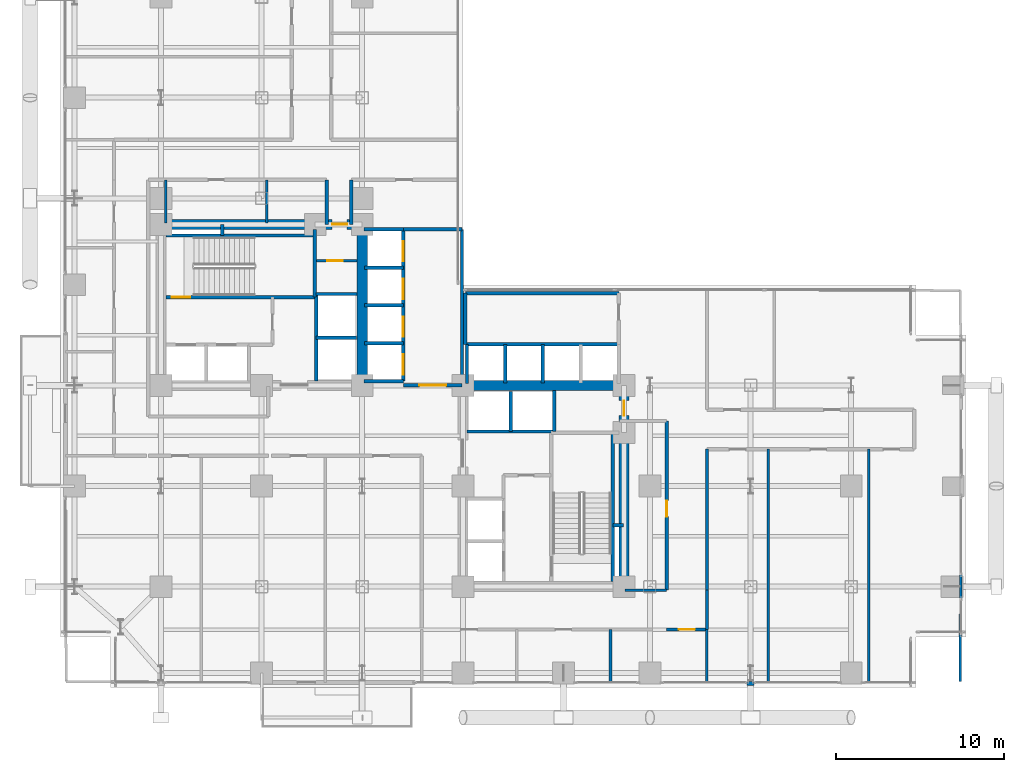
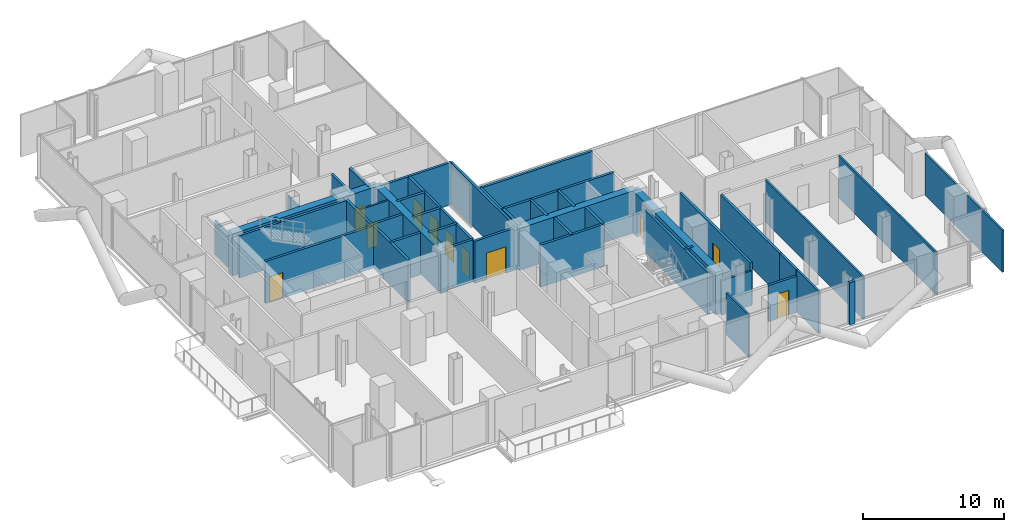
# One storey, part 21 of 25: 47 walls, 11 doors, 11 openings.
"""IFC4 building model written with IfcOpenShell, lengths in metres."""

from ifc_helpers import new_model, si_unit, direction, frame, frame_2d, origin, place, context, subcontext, project, spatial, rectangle, extrude, material, layer, layer_set, type_object, element, fill, save


model = new_model("IFC4")

# Units and contexts
model_context = context("Model", 3, precision=1e-05, world=origin(), true_north=direction((0.0, 1.0)))
body_context = subcontext(model_context, "Body", "Model", "MODEL_VIEW")
ifc_project = project(units=[si_unit("LENGTHUNIT", "METRE"), si_unit("AREAUNIT", "SQUARE_METRE"), si_unit("VOLUMEUNIT", "CUBIC_METRE"), si_unit("PLANEANGLEUNIT", "RADIAN"), si_unit("MASSUNIT", "GRAM", prefix="KILO"), si_unit("THERMODYNAMICTEMPERATUREUNIT", "KELVIN"), si_unit("POWERUNIT", "WATT")], contexts=[model_context])

# Site, building, storey
site_placement = place(None, origin())
site = spatial("IfcSite", under=ifc_project, at=site_placement, CompositionType="ELEMENT")
building_placement = place(site_placement, origin())
building = spatial("IfcBuilding", under=site, at=building_placement, Name="Svarakhadi Broadcast Tower", CompositionType="ELEMENT")
storey_placement = place(building_placement, frame((0.0, 0.0, 63.60009765625)))
storey = spatial("IfcBuildingStorey", under=building, at=storey_placement, Name="L14", CompositionType="ELEMENT", Elevation=63.60009765625)

# Walls
ifc_material_1 = material(Name="Concrete C40/50 (IS 456 M50)", Category="concrete")
ifc_layer_1 = layer(ifc_material_1, 0.239990234375)
ifc_layer_set_1 = layer_set([ifc_layer_1], Name="Concrete C40/50 (IS 456 M50)")
wall_type_1 = type_object("IfcWallType", Name="Wall_Ext_240", PredefinedType="SOLIDWALL", material=ifc_layer_set_1)
wall_1_placement = place(storey_placement, frame((41.364990234375, 0.239990234375, 0.0), z_axis=(0.0, 0.0, 1.0), x_axis=(-1.0, 0.0, 0.0)))
element("IfcWall", 1, at=wall_1_placement, inside=storey, type_object=wall_type_1, Name="L14 Perimeter Bronze Spandrel Closure Wall 05", PredefinedType="SOLIDWALL", context=body_context, shape_type="SweptSolid", body=[
    extrude(rectangle(XDim=0.429931640625, YDim=0.239990234375, at=frame_2d((0.21484375, 0.0))), origin(), (0.0, 0.0, 1.0), 3.64990234375),
])
ifc_layer_2 = layer(ifc_material_1, 0.199951171875)
ifc_layer_set_2 = layer_set([ifc_layer_2], Name="Concrete C40/50 (IS 456 M50)")
wall_type_2 = type_object("IfcWallType", Name="Wall_Fire_200", PredefinedType="SOLIDWALL", material=ifc_layer_set_2)
for number, where, z_axis, x_axis, name in (
    (2, (9.659912109375, 26.93994140625, 0.0), (0.0, 0.0, 1.0), (0.0, 1.0, 0.0), "L14 Wet Riser Shaft East Wall"),
    (3, (32.93994140625, 9.659912109375, 0.0), (0.0, 0.0, 1.0), (1.0, 0.0, 0.0), "L14 HV Busduct Riser Shaft North Wall"),
):
    element("IfcWall", number, at=place(storey_placement, frame(where, z_axis=z_axis, x_axis=x_axis)), inside=storey, type_object=wall_type_2, Name=name, PredefinedType="SOLIDWALL", context=body_context, shape_type="SweptSolid", body=[
        extrude(rectangle(XDim=0.64013671875, YDim=0.199951171875, at=frame_2d((0.320068359375, 0.0))), origin(), (0.0, 0.0, 1.0), 3.64990234375),
    ])

# Wall, opening, door
wall_2_placement = place(storey_placement, frame((36.14990234375, 5.800048828125, 0.0), z_axis=(0.0, 0.0, 1.0), x_axis=(0.0, 1.0, 0.0)))
wall_2 = element("IfcWall", 4, at=wall_2_placement, inside=storey, type_object=wall_type_2, Name="L14 Broadcast Corridor Wall", PredefinedType="SOLIDWALL", context=body_context, shape_type="SweptSolid", body=[
    extrude(rectangle(XDim=10.079833984375, YDim=0.199951171875, at=frame_2d((5.0400390625, 0.0))), origin(), (0.0, 0.0, 1.0), 3.64990234375),
])
opening_1_placement = place(wall_2_placement, frame((4.3798828125, 0.0, 0.0)))
opening_1 = element("IfcOpeningElement", 5, at=opening_1_placement, cuts=wall_2, Name="Opening D-06", PredefinedType="OPENING", context=body_context, shape_type="SweptSolid", body=[
    extrude(rectangle(XDim=0.949951171875, YDim=2.14990234375, at=frame_2d((0.47509765625, 1.074951171875))), frame((0.0, 0.10986328125, 0.0), z_axis=(0.0, -1.0, 0.0), x_axis=(1.0, 0.0, 0.0)), (0.0, 0.0, 1.0), 0.219970703125),
])
ifc_material_2 = material(Name="Solid-Core Teak Veneer Acoustic Timber Leaf", Category="wood")
door_type_1 = type_object("IfcDoorType", Name="Door_Office_D06", OperationType="SINGLE_SWING_LEFT", PredefinedType="DOOR", material=ifc_material_2)
door_1_placement = place(opening_1_placement, origin())
door_1 = element("IfcDoor", 6, at=door_1_placement, inside=storey, type_object=door_type_1, Name="L14 Live Feed Monitoring Studio Door", OperationType="SINGLE_SWING_LEFT", OverallHeight=2.14990234375, OverallWidth=0.949951171875, PredefinedType="DOOR", context=body_context, shape_type="SweptSolid", body=[
    extrude(rectangle(XDim=0.949951171875, YDim=2.14990234375, at=frame_2d((0.47509765625, 1.074951171875))), frame((0.0, 0.02490234375, 0.0), z_axis=(0.0, -1.0, 0.0), x_axis=(1.0, 0.0, 0.0)), (0.0, 0.0, 1.0), 0.050048828125),
])
fill(opening_1, door_1)

# Walls
wall_3_placement = place(storey_placement, frame((38.550048828125, 14.199951171875, 0.0), z_axis=(0.0, 0.0, 1.0), x_axis=(0.0, -1.0, 0.0)))
element("IfcWall", 7, at=wall_3_placement, inside=storey, type_object=wall_type_2, Name="L14 Broadcast Corridor Wall", PredefinedType="SOLIDWALL", context=body_context, shape_type="SweptSolid", body=[
    extrude(rectangle(XDim=8.39990234375, YDim=0.199951171875, at=frame_2d((4.199951171875, 0.0))), origin(), (0.0, 0.0, 1.0), 3.64990234375),
])
wall_4_placement = place(storey_placement, frame((38.550048828125, 5.800048828125, 0.0), z_axis=(0.0, 0.0, 1.0), x_axis=(0.0, -1.0, 0.0)))
element("IfcWall", 8, at=wall_4_placement, inside=storey, type_object=wall_type_2, Name="L14 Broadcast Corridor Wall", PredefinedType="SOLIDWALL", context=body_context, shape_type="SweptSolid", body=[
    extrude(rectangle(XDim=2.35009765625, YDim=0.199951171875, at=frame_2d((1.175048828125, 0.0))), origin(), (0.0, 0.0, 1.0), 3.64990234375),
])

# Wall, opening, door
wall_5_placement = place(storey_placement, frame((38.550048828125, 3.449951171875, 0.0), z_axis=(0.0, 0.0, 1.0), x_axis=(-1.0, 0.0, 0.0)))
wall_5 = element("IfcWall", 9, at=wall_5_placement, inside=storey, type_object=wall_type_2, Name="L14 Broadcast Corridor Wall", PredefinedType="SOLIDWALL", context=body_context, shape_type="SweptSolid", body=[
    extrude(rectangle(XDim=2.400146484375, YDim=0.199951171875, at=frame_2d((1.2001953125, 0.0))), origin(), (0.0, 0.0, 1.0), 3.141845703125),
])
opening_2_placement = place(wall_5_placement, frame((0.72509765625, 0.0, 0.0)))
opening_2 = element("IfcOpeningElement", 10, at=opening_2_placement, cuts=wall_5, Name="Opening D-06", PredefinedType="OPENING", context=body_context, shape_type="SweptSolid", body=[
    extrude(rectangle(XDim=0.949951171875, YDim=2.14990234375, at=frame_2d((0.47509765625, 1.074951171875))), frame((0.0, 0.10986328125, 0.0), z_axis=(0.0, -1.0, 0.0), x_axis=(1.0, 0.0, 0.0)), (0.0, 0.0, 1.0), 0.219970703125),
])
door_2_placement = place(opening_2_placement, origin())
door_2 = element("IfcDoor", 11, at=door_2_placement, inside=storey, type_object=door_type_1, Name="L14 Broadcast Staff Refreshment Pantry Door", OperationType="SINGLE_SWING_LEFT", OverallHeight=2.14990234375, OverallWidth=0.949951171875, PredefinedType="DOOR", context=body_context, shape_type="SweptSolid", body=[
    extrude(rectangle(XDim=0.949951171875, YDim=2.14990234375, at=frame_2d((0.47509765625, 1.074951171875))), frame((0.0, 0.02490234375, 0.0), z_axis=(0.0, -1.0, 0.0), x_axis=(1.0, 0.0, 0.0)), (0.0, 0.0, 1.0), 0.050048828125),
])
fill(opening_2, door_2)

# Walls
for number, where, z_axis, x_axis, name in (
    (12, (17.35009765625, 30.25, 0.0), (0.0, 0.0, 1.0), (0.0, -1.0, 0.0), "L14 Broadcast Corridor Wall"),
    (13, (15.8798828125, 27.580078125, 0.0), (0.0, 0.0, 1.0), (0.0, 1.0, 0.0), "L14 Broadcast Corridor Wall"),
):
    element("IfcWall", number, at=place(storey_placement, frame(where, z_axis=z_axis, x_axis=x_axis)), inside=storey, type_object=wall_type_2, Name=name, PredefinedType="SOLIDWALL", context=body_context, shape_type="SweptSolid", body=[
        extrude(rectangle(XDim=2.669921875, YDim=0.199951171875, at=frame_2d((1.3349609375, 0.0))), origin(), (0.0, 0.0, 1.0), 3.64990234375),
    ])

# Wall, opening, door
ifc_material_3 = material(Name="Autoclaved Aerated Concrete Blockwork 150 mm", Category="masonry")
ifc_layer_3 = layer(ifc_material_3, 0.14990234375)
ifc_layer_set_3 = layer_set([ifc_layer_3], Name="Autoclaved Aerated Concrete Blockwork 150 mm")
wall_type_3 = type_object("IfcWallType", Name="Wall_Part_150", PredefinedType="PARTITIONING", material=ifc_layer_set_3)
wall_6_placement = place(storey_placement, frame((15.280029296875, 25.43994140625, 0.0), z_axis=(0.0, 0.0, 1.0), x_axis=(1.0, 0.0, 0.0)))
wall_6 = element("IfcWall", 14, at=wall_6_placement, inside=storey, type_object=wall_type_3, Name="L14 West Core Service Split Wall", PredefinedType="PARTITIONING", context=body_context, shape_type="SweptSolid", body=[
    extrude(rectangle(XDim=2.419921875, YDim=0.14990234375, at=frame_2d((1.2099609375, 0.0))), origin(), (0.0, 0.0, 1.0), 3.64990234375),
])
opening_3_placement = place(wall_6_placement, frame((0.64990234375, 0.0, 0.0)))
opening_3 = element("IfcOpeningElement", 15, at=opening_3_placement, cuts=wall_6, Name="Opening D-04", PredefinedType="OPENING", context=body_context, shape_type="SweptSolid", body=[
    extrude(rectangle(XDim=0.89990234375, YDim=2.14990234375, at=frame_2d((0.449951171875, 1.074951171875))), frame((0.0, 0.0849609375, 0.0), z_axis=(0.0, -1.0, 0.0), x_axis=(1.0, 0.0, 0.0)), (0.0, 0.0, 1.0), 0.169921875),
])
ifc_material_4 = material(Name="Galvanised Powder-Coated Fire-Rated Steel Leaf", Category="steel")
door_type_2 = type_object("IfcDoorType", Name="Door_Fire_D04", OperationType="SINGLE_SWING_RIGHT", PredefinedType="DOOR", material=ifc_material_4)
door_3_placement = place(opening_3_placement, origin())
door_3 = element("IfcDoor", 16, at=door_3_placement, inside=storey, type_object=door_type_2, Name="L14 West Core Inner Store Door", OperationType="SINGLE_SWING_RIGHT", OverallHeight=2.14990234375, OverallWidth=0.89990234375, PredefinedType="DOOR", context=body_context, shape_type="SweptSolid", body=[
    extrude(rectangle(XDim=0.89990234375, YDim=2.14990234375, at=frame_2d((0.449951171875, 1.074951171875))), frame((0.0, 0.02490234375, 0.0), z_axis=(0.0, -1.0, 0.0), x_axis=(1.0, 0.0, 0.0)), (0.0, 0.0, 1.0), 0.050048828125),
])
fill(opening_3, door_3)

# Walls
for number, where, z_axis, x_axis, name in (
    (17, (6.300048828125, 27.679931640625, 0.0), (0.0, 0.0, 1.0), (0.0, 1.0, 0.0), "L14 Accessible Toilet WC Wall"),
    (18, (12.300048828125, 27.679931640625, 0.0), (0.0, 0.0, 1.0), (0.0, 1.0, 0.0), "L14 Accessible Toilet WC Wall"),
):
    element("IfcWall", number, at=place(storey_placement, frame(where, z_axis=z_axis, x_axis=x_axis)), inside=storey, type_object=wall_type_3, Name=name, PredefinedType="PARTITIONING", context=body_context, shape_type="SweptSolid", body=[
        extrude(rectangle(XDim=2.570068359375, YDim=0.14990234375, at=frame_2d((1.28515625, 0.0))), origin(), (0.0, 0.0, 1.0), 2.991943359375),
    ])
for number, where, z_axis, x_axis, name in (
    (19, (42.199951171875, 0.300048828125, 0.0), (0.0, 0.0, 1.0), (0.0, 1.0, 0.0), "L14 Academic Faculty Office Wall"),
    (20, (48.199951171875, 0.300048828125, 0.0), (0.0, 0.0, 1.0), (0.0, 1.0, 0.0), "L14 Camera Workshop Room Wall"),
):
    element("IfcWall", number, at=place(storey_placement, frame(where, z_axis=z_axis, x_axis=x_axis)), inside=storey, type_object=wall_type_3, Name=name, PredefinedType="PARTITIONING", context=body_context, shape_type="SweptSolid", body=[
        extrude(rectangle(XDim=13.89990234375, YDim=0.14990234375, at=frame_2d((6.949951171875, 0.0))), origin(), (0.0, 0.0, 1.0), 3.64990234375),
    ])
wall_7_placement = place(storey_placement, frame((53.64990234375, 0.35009765625, 0.0), z_axis=(0.0, 0.0, 1.0), x_axis=(0.003606251025, 0.999993497456, 0.0)))
element("IfcWall", 21, at=wall_7_placement, inside=storey, type_object=wall_type_3, Name="L14 Training Gear Store Wall", PredefinedType="PARTITIONING", context=body_context, shape_type="SweptSolid", body=[
    extrude(rectangle(XDim=11.034912109375, YDim=0.14990234375, at=frame_2d((5.517578125, 0.0))), origin(), (0.0, 0.0, 1.0), 3.64990234375),
])
for number, where, z_axis, x_axis, name in (
    (22, (32.800048828125, 0.300048828125, 0.0), (0.0, 0.0, 1.0), (0.0, 1.0, 0.0), "L14 Media Legal Review Office Wall"),
    (23, (38.550048828125, 0.300048828125, 0.0), (0.0, 0.0, 1.0), (0.0, 1.0, 0.0), "L14 Broadcast Staff Refreshment Pantry Wall"),
):
    element("IfcWall", number, at=place(storey_placement, frame(where, z_axis=z_axis, x_axis=x_axis)), inside=storey, type_object=wall_type_3, Name=name, PredefinedType="PARTITIONING", context=body_context, shape_type="SweptSolid", body=[
        extrude(rectangle(XDim=3.14990234375, YDim=0.14990234375, at=frame_2d((1.574951171875, 0.0))), origin(), (0.0, 0.0, 1.0), 3.64990234375),
    ])
wall_8_placement = place(storey_placement, frame((33.64990234375, 5.800048828125, 0.0), z_axis=(0.0, 0.0, 1.0), x_axis=(1.0, 0.0, 0.0)))
element("IfcWall", 24, at=wall_8_placement, inside=storey, type_object=wall_type_3, Name="L14 Live Feed Monitoring Studio Wall", PredefinedType="PARTITIONING", context=body_context, shape_type="SweptSolid", body=[
    extrude(rectangle(XDim=2.5, YDim=0.14990234375, at=frame_2d((1.25, 0.0))), origin(), (0.0, 0.0, 1.0), 2.991943359375),
])

# Wall, opening, door
ifc_material_5 = material(Name="Concrete C50/60 (IS 456 M60)", Category="concrete")
ifc_layer_4 = layer(ifc_material_5, 0.199951171875)
ifc_layer_set_4 = layer_set([ifc_layer_4], Name="Concrete C50/60 (IS 456 M60)")
wall_type_4 = type_object("IfcWallType", Name="Wall_Shear_200", PredefinedType="SHEAR", material=ifc_layer_set_4)
wall_9_placement = place(storey_placement, frame((6.300048828125, 23.260009765625, 0.0), z_axis=(0.0, 0.0, 1.0), x_axis=(1.0, 0.0, 0.0)))
wall_9 = element("IfcWall", 25, at=wall_9_placement, inside=storey, type_object=wall_type_4, Name="L14 Stair ST-01 South RC Shaft Wall", PredefinedType="SHEAR", context=body_context, shape_type="SweptSolid", body=[
    extrude(rectangle(XDim=8.8798828125, YDim=0.199951171875, at=frame_2d((4.43994140625, 0.0))), origin(), (0.0, 0.0, 1.0), 3.64990234375),
])
opening_4_placement = place(wall_9_placement, frame((0.35009765625, 0.0, 0.0)))
opening_4 = element("IfcOpeningElement", 26, at=opening_4_placement, cuts=wall_9, Name="Opening D-01", PredefinedType="OPENING", context=body_context, shape_type="SweptSolid", body=[
    extrude(rectangle(XDim=1.10009765625, YDim=2.199951171875, at=frame_2d((0.550048828125, 1.10009765625))), frame((0.0, 0.10986328125, 0.0), z_axis=(0.0, -1.0, 0.0), x_axis=(1.0, 0.0, 0.0)), (0.0, 0.0, 1.0), 0.219970703125),
])
door_type_3 = type_object("IfcDoorType", Name="Door_Stair_D01", OperationType="SINGLE_SWING_LEFT", PredefinedType="DOOR", material=ifc_material_4)
door_4_placement = place(opening_4_placement, origin())
door_4 = element("IfcDoor", 27, at=door_4_placement, inside=storey, type_object=door_type_3, Name="L14 Protected Exit Stair ST-01 Fire Door", OperationType="SINGLE_SWING_LEFT", OverallHeight=2.199951171875, OverallWidth=1.10009765625, PredefinedType="DOOR", context=body_context, shape_type="SweptSolid", body=[
    extrude(rectangle(XDim=1.10009765625, YDim=2.199951171875, at=frame_2d((0.550048828125, 1.10009765625))), frame((0.0, 0.02490234375, 0.0), z_axis=(0.0, -1.0, 0.0), x_axis=(1.0, 0.0, 0.0)), (0.0, 0.0, 1.0), 0.050048828125),
])
fill(opening_4, door_4)

# Walls
wall_10_placement = place(storey_placement, frame((6.300048828125, 26.93994140625, 0.0), z_axis=(0.0, 0.0, 1.0), x_axis=(1.0, 0.0, 0.0)))
element("IfcWall", 28, at=wall_10_placement, inside=storey, type_object=wall_type_4, Name="L14 Stair ST-01 North RC Shaft Wall", PredefinedType="SHEAR", context=body_context, shape_type="SweptSolid", body=[
    extrude(rectangle(XDim=8.8798828125, YDim=0.199951171875, at=frame_2d((4.43994140625, 0.0))), origin(), (0.0, 0.0, 1.0), 3.64990234375),
])
wall_11_placement = place(storey_placement, frame((15.179931640625, 23.260009765625, 0.0), z_axis=(0.0, 0.0, 1.0), x_axis=(0.0, 1.0, 0.0)))
element("IfcWall", 29, at=wall_11_placement, inside=storey, type_object=wall_type_4, Name="L14 Stair ST-01 East RC Shaft Wall", PredefinedType="SHEAR", context=body_context, shape_type="SweptSolid", body=[
    extrude(rectangle(XDim=4.0400390625, YDim=0.199951171875, at=frame_2d((2.02001953125, 0.0))), origin(), (0.0, 0.0, 1.0), 3.64990234375),
])
wall_12_placement = place(storey_placement, frame((32.93994140625, 6.300048828125, 0.0), z_axis=(0.0, 0.0, 1.0), x_axis=(0.0, 1.0, 0.0)))
element("IfcWall", 30, at=wall_12_placement, inside=storey, type_object=wall_type_4, Name="L14 Stair ST-02 East RC Shaft Wall", PredefinedType="SHEAR", context=body_context, shape_type="SweptSolid", body=[
    extrude(rectangle(XDim=8.8798828125, YDim=0.199951171875, at=frame_2d((4.43994140625, 0.0))), origin(), (0.0, 0.0, 1.0), 3.64990234375),
])
wall_13_placement = place(storey_placement, frame((15.25, 18.25, 0.0), z_axis=(0.0, 0.0, 1.0), x_axis=(0.0, 1.0, 0.0)))
element("IfcWall", 31, at=wall_13_placement, inside=storey, type_object=wall_type_4, Name="L14 High-Rise Lift LF-13/14 West Shaft Wall", PredefinedType="SHEAR", context=body_context, shape_type="SweptSolid", body=[
    extrude(rectangle(XDim=5.199951171875, YDim=0.199951171875, at=frame_2d((2.60009765625, 0.0))), origin(), (0.0, 0.0, 1.0), 3.64990234375),
])
wall_14_placement = place(storey_placement, frame((15.25, 20.85009765625, 0.0), z_axis=(0.0, 0.0, 1.0), x_axis=(1.0, 0.0, 0.0)))
element("IfcWall", 32, at=wall_14_placement, inside=storey, type_object=wall_type_4, Name="L14 High-Rise Lift LF-13/14 Divider", PredefinedType="SHEAR", context=body_context, shape_type="SweptSolid", body=[
    extrude(rectangle(XDim=2.39990234375, YDim=0.199951171875, at=frame_2d((1.199951171875, 0.0))), origin(), (0.0, 0.0, 1.0), 3.64990234375),
])
wall_15_placement = place(storey_placement, frame((15.25, 23.449951171875, 0.0), z_axis=(0.0, 0.0, 1.0), x_axis=(1.0, 0.0, 0.0)))
element("IfcWall", 33, at=wall_15_placement, inside=storey, type_object=wall_type_4, Name="L14 High-Rise Lift LF-13/14 North Wall", PredefinedType="SHEAR", context=body_context, shape_type="SweptSolid", body=[
    extrude(rectangle(XDim=2.449951171875, YDim=0.199951171875, at=frame_2d((1.22509765625, 0.0))), origin(), (0.0, 0.0, 1.0), 3.64990234375),
])
wall_16_placement = place(storey_placement, frame((24.25, 15.25, 0.0), z_axis=(0.0, 0.0, 1.0), x_axis=(1.0, 0.0, 0.0)))
element("IfcWall", 34, at=wall_16_placement, inside=storey, type_object=wall_type_4, Name="L14 High-Rise Lift LF-15/16 South Shaft Wall", PredefinedType="SHEAR", context=body_context, shape_type="SweptSolid", body=[
    extrude(rectangle(XDim=5.199951171875, YDim=0.199951171875, at=frame_2d((2.60009765625, 0.0))), origin(), (0.0, 0.0, 1.0), 3.64990234375),
])
wall_17_placement = place(storey_placement, frame((26.85009765625, 15.25, 0.0), z_axis=(0.0, 0.0, 1.0), x_axis=(0.0, 1.0, 0.0)))
element("IfcWall", 35, at=wall_17_placement, inside=storey, type_object=wall_type_4, Name="L14 High-Rise Lift LF-15/16 Divider", PredefinedType="SHEAR", context=body_context, shape_type="SweptSolid", body=[
    extrude(rectangle(XDim=2.39990234375, YDim=0.199951171875, at=frame_2d((1.199951171875, 0.0))), origin(), (0.0, 0.0, 1.0), 3.64990234375),
])
wall_18_placement = place(storey_placement, frame((29.449951171875, 15.25, 0.0), z_axis=(0.0, 0.0, 1.0), x_axis=(0.0, 1.0, 0.0)))
element("IfcWall", 36, at=wall_18_placement, inside=storey, type_object=wall_type_4, Name="L14 High-Rise Lift LF-15/16 East Wall", PredefinedType="SHEAR", context=body_context, shape_type="SweptSolid", body=[
    extrude(rectangle(XDim=2.449951171875, YDim=0.199951171875, at=frame_2d((1.22509765625, 0.0))), origin(), (0.0, 0.0, 1.0), 3.64990234375),
])
for number, where, z_axis, x_axis, name in (
    (37, (18.10009765625, 27.300048828125, 0.0), (0.0, 0.0, 1.0), (1.0, 0.0, 0.0), "L14 Bank A North Shaft Wall"),
    (38, (18.10009765625, 18.25, 0.0), (0.0, 0.0, 1.0), (1.0, 0.0, 0.0), "L14 Bank A South Shaft Wall"),
):
    element("IfcWall", number, at=place(storey_placement, frame(where, z_axis=z_axis, x_axis=x_axis)), inside=storey, type_object=wall_type_4, Name=name, PredefinedType="SHEAR", context=body_context, shape_type="SweptSolid", body=[
        extrude(rectangle(XDim=2.349853515625, YDim=0.199951171875, at=frame_2d((1.1748046875, 0.0))), origin(), (0.0, 0.0, 1.0), 3.64990234375),
    ])

# Wall, openings, doors
wall_19_placement = place(storey_placement, frame((20.449951171875, 18.25, 0.0), z_axis=(0.0, 0.0, 1.0), x_axis=(0.0, 1.0, 0.0)))
wall_19 = element("IfcWall", 39, at=wall_19_placement, inside=storey, type_object=wall_type_4, Name="L14 Bank A East Landing Wall", PredefinedType="SHEAR", context=body_context, shape_type="SweptSolid", body=[
    extrude(rectangle(XDim=9.050048828125, YDim=0.199951171875, at=frame_2d((4.52490234375, 0.0))), origin(), (0.0, 0.0, 1.0), 3.64990234375),
])
opening_5_placement = place(wall_19_placement, frame((0.39990234375, 0.0, 0.0)))
opening_5 = element("IfcOpeningElement", 40, at=opening_5_placement, cuts=wall_19, Name="Opening LD-02", PredefinedType="OPENING", context=body_context, shape_type="SweptSolid", body=[
    extrude(rectangle(XDim=1.199951171875, YDim=2.199951171875, at=frame_2d((0.60009765625, 1.10009765625))), frame((0.0, 0.10986328125, 0.0), z_axis=(0.0, -1.0, 0.0), x_axis=(1.0, 0.0, 0.0)), (0.0, 0.0, 1.0), 0.219970703125),
])
opening_6_placement = place(wall_19_placement, frame((2.64990234375, 0.0, 0.0)))
opening_6 = element("IfcOpeningElement", 41, at=opening_6_placement, cuts=wall_19, Name="Opening LD-02", PredefinedType="OPENING", context=body_context, shape_type="SweptSolid", body=[
    extrude(rectangle(XDim=1.199951171875, YDim=2.199951171875, at=frame_2d((0.60009765625, 1.10009765625))), frame((0.0, 0.10986328125, 0.0), z_axis=(0.0, -1.0, 0.0), x_axis=(1.0, 0.0, 0.0)), (0.0, 0.0, 1.0), 0.219970703125),
])
opening_7_placement = place(wall_19_placement, frame((4.89990234375, 0.0, 0.0)))
opening_7 = element("IfcOpeningElement", 42, at=opening_7_placement, cuts=wall_19, Name="Opening LD-02", PredefinedType="OPENING", context=body_context, shape_type="SweptSolid", body=[
    extrude(rectangle(XDim=1.199951171875, YDim=2.199951171875, at=frame_2d((0.60009765625, 1.10009765625))), frame((0.0, 0.10986328125, 0.0), z_axis=(0.0, -1.0, 0.0), x_axis=(1.0, 0.0, 0.0)), (0.0, 0.0, 1.0), 0.219970703125),
])
opening_8_placement = place(wall_19_placement, frame((7.14990234375, 0.0, 0.0)))
opening_8 = element("IfcOpeningElement", 43, at=opening_8_placement, cuts=wall_19, Name="Opening LD-02", PredefinedType="OPENING", context=body_context, shape_type="SweptSolid", body=[
    extrude(rectangle(XDim=1.199951171875, YDim=2.199951171875, at=frame_2d((0.60009765625, 1.10009765625))), frame((0.0, 0.10986328125, 0.0), z_axis=(0.0, -1.0, 0.0), x_axis=(1.0, 0.0, 0.0)), (0.0, 0.0, 1.0), 0.219970703125),
])
door_type_4 = type_object("IfcDoorType", Name="Door_Lift_LD02", OperationType="SLIDING_TO_RIGHT", PredefinedType="DOOR", material=ifc_material_4)
door_5_placement = place(opening_5_placement, origin())
door_5 = element("IfcDoor", 44, at=door_5_placement, inside=storey, type_object=door_type_4, Name="L14 Low-Rise Lift LF-05 Landing Door", OperationType="SLIDING_TO_RIGHT", OverallHeight=2.199951171875, OverallWidth=1.199951171875, PredefinedType="DOOR", context=body_context, shape_type="SweptSolid", body=[
    extrude(rectangle(XDim=1.199951171875, YDim=2.199951171875, at=frame_2d((0.60009765625, 1.10009765625))), frame((0.0, 0.02490234375, 0.0), z_axis=(0.0, -1.0, 0.0), x_axis=(1.0, 0.0, 0.0)), (0.0, 0.0, 1.0), 0.050048828125),
])
fill(opening_5, door_5)
door_6_placement = place(opening_6_placement, origin())
door_6 = element("IfcDoor", 45, at=door_6_placement, inside=storey, type_object=door_type_4, Name="L14 Low-Rise Lift LF-06 Landing Door", OperationType="SLIDING_TO_RIGHT", OverallHeight=2.199951171875, OverallWidth=1.199951171875, PredefinedType="DOOR", context=body_context, shape_type="SweptSolid", body=[
    extrude(rectangle(XDim=1.199951171875, YDim=2.199951171875, at=frame_2d((0.60009765625, 1.10009765625))), frame((0.0, 0.02490234375, 0.0), z_axis=(0.0, -1.0, 0.0), x_axis=(1.0, 0.0, 0.0)), (0.0, 0.0, 1.0), 0.050048828125),
])
fill(opening_6, door_6)
door_7_placement = place(opening_7_placement, origin())
door_7 = element("IfcDoor", 46, at=door_7_placement, inside=storey, type_object=door_type_4, Name="L14 Low-Rise Lift LF-07 Landing Door", OperationType="SLIDING_TO_RIGHT", OverallHeight=2.199951171875, OverallWidth=1.199951171875, PredefinedType="DOOR", context=body_context, shape_type="SweptSolid", body=[
    extrude(rectangle(XDim=1.199951171875, YDim=2.199951171875, at=frame_2d((0.60009765625, 1.10009765625))), frame((0.0, 0.02490234375, 0.0), z_axis=(0.0, -1.0, 0.0), x_axis=(1.0, 0.0, 0.0)), (0.0, 0.0, 1.0), 0.050048828125),
])
fill(opening_7, door_7)
door_8_placement = place(opening_8_placement, origin())
door_8 = element("IfcDoor", 47, at=door_8_placement, inside=storey, type_object=door_type_4, Name="L14 Low-Rise Lift LF-08 Landing Door", OperationType="SLIDING_TO_RIGHT", OverallHeight=2.199951171875, OverallWidth=1.199951171875, PredefinedType="DOOR", context=body_context, shape_type="SweptSolid", body=[
    extrude(rectangle(XDim=1.199951171875, YDim=2.199951171875, at=frame_2d((0.60009765625, 1.10009765625))), frame((0.0, 0.02490234375, 0.0), z_axis=(0.0, -1.0, 0.0), x_axis=(1.0, 0.0, 0.0)), (0.0, 0.0, 1.0), 0.050048828125),
])
fill(opening_8, door_8)

# Walls
for number, where, z_axis, x_axis, name in (
    (48, (18.14990234375, 20.52001953125, 0.0), (0.0, 0.0, 1.0), (1.0, 0.0, 0.0), "L14 Bank A Divider"),
    (49, (18.14990234375, 22.77001953125, 0.0), (0.0, 0.0, 1.0), (1.0, 0.0, 0.0), "L14 Bank A Divider"),
    (50, (18.14990234375, 25.02001953125, 0.0), (0.0, 0.0, 1.0), (1.0, 0.0, 0.0), "L14 Bank A Divider"),
):
    element("IfcWall", number, at=place(storey_placement, frame(where, z_axis=z_axis, x_axis=x_axis)), inside=storey, type_object=wall_type_4, Name=name, PredefinedType="SHEAR", context=body_context, shape_type="SweptSolid", body=[
        extrude(rectangle(XDim=2.300048828125, YDim=0.199951171875, at=frame_2d((1.14990234375, 0.0))), origin(), (0.0, 0.0, 1.0), 3.64990234375),
    ])

# Wall, opening, door
wall_20_placement = place(storey_placement, frame((20.449951171875, 18.0, 0.0), z_axis=(0.0, 0.0, 1.0), x_axis=(1.0, 0.0, 0.0)))
wall_20 = element("IfcWall", 51, at=wall_20_placement, inside=storey, type_object=wall_type_4, Name="L14 Bank A Lift Hall South Wall", PredefinedType="SHEAR", context=body_context, shape_type="SweptSolid", body=[
    extrude(rectangle(XDim=3.5, YDim=0.199951171875, at=frame_2d((1.75, 0.0))), origin(), (0.0, 0.0, 1.0), 3.64990234375),
])
opening_9_placement = place(wall_20_placement, frame((0.949951171875, 0.0, 0.0)))
opening_9 = element("IfcOpeningElement", 52, at=opening_9_placement, cuts=wall_20, Name="Opening D-05", PredefinedType="OPENING", context=body_context, shape_type="SweptSolid", body=[
    extrude(rectangle(XDim=1.60009765625, YDim=2.300048828125, at=frame_2d((0.800048828125, 1.14990234375))), frame((0.0, 0.10986328125, 0.0), z_axis=(0.0, -1.0, 0.0), x_axis=(1.0, 0.0, 0.0)), (0.0, 0.0, 1.0), 0.219970703125),
])
ifc_material_6 = material(Name="Anodised Bronze Aluminium AA 6063-T6", Category="aluminium")
door_type_5 = type_object("IfcDoorType", Name="Door_Lobby_D05", OperationType="DOUBLE_DOOR_SLIDING", PredefinedType="DOOR", material=ifc_material_6)
door_9_placement = place(opening_9_placement, origin())
door_9 = element("IfcDoor", 53, at=door_9_placement, inside=storey, type_object=door_type_5, Name="L14 Low-Rise Lift Hall Corridor Door", OperationType="DOUBLE_DOOR_SLIDING", OverallHeight=2.300048828125, OverallWidth=1.60009765625, PredefinedType="DOOR", context=body_context, shape_type="SweptSolid", body=[
    extrude(rectangle(XDim=1.60009765625, YDim=2.300048828125, at=frame_2d((0.800048828125, 1.14990234375))), frame((0.0, 0.02490234375, 0.0), z_axis=(0.0, -1.0, 0.0), x_axis=(1.0, 0.0, 0.0)), (0.0, 0.0, 1.0), 0.050048828125),
])
fill(opening_9, door_9)

# Walls
wall_21_placement = place(storey_placement, frame((20.449951171875, 27.300048828125, 0.0), z_axis=(0.0, 0.0, 1.0), x_axis=(1.0, 0.0, 0.0)))
element("IfcWall", 54, at=wall_21_placement, inside=storey, type_object=wall_type_4, Name="L14 Bank A Lift Hall North Wall", PredefinedType="SHEAR", context=body_context, shape_type="SweptSolid", body=[
    extrude(rectangle(XDim=3.5, YDim=0.199951171875, at=frame_2d((1.75, 0.0))), origin(), (0.0, 0.0, 1.0), 3.64990234375),
])
wall_22_placement = place(storey_placement, frame((23.949951171875, 18.0, 0.0), z_axis=(0.0, 0.0, 1.0), x_axis=(0.0, 1.0, 0.0)))
element("IfcWall", 55, at=wall_22_placement, inside=storey, type_object=wall_type_4, Name="L14 Bank A Lift Hall East Wall", PredefinedType="SHEAR", context=body_context, shape_type="SweptSolid", body=[
    extrude(rectangle(XDim=9.300048828125, YDim=0.199951171875, at=frame_2d((4.64990234375, 0.0))), origin(), (0.0, 0.0, 1.0), 3.64990234375),
])
wall_23_placement = place(storey_placement, frame((24.25, 18.10009765625, 0.0), z_axis=(0.0, 0.0, 1.0), x_axis=(0.0, 1.0, 0.0)))
element("IfcWall", 56, at=wall_23_placement, inside=storey, type_object=wall_type_4, Name="L14 Bank B West Shaft Wall", PredefinedType="SHEAR", context=body_context, shape_type="SweptSolid", body=[
    extrude(rectangle(XDim=2.349853515625, YDim=0.199951171875, at=frame_2d((1.1748046875, 0.0))), origin(), (0.0, 0.0, 1.0), 3.64990234375),
])
wall_24_placement = place(storey_placement, frame((24.25, 20.449951171875, 0.0), z_axis=(0.0, 0.0, 1.0), x_axis=(1.0, 0.0, 0.0)))
element("IfcWall", 57, at=wall_24_placement, inside=storey, type_object=wall_type_4, Name="L14 Bank B North Landing Wall", PredefinedType="SHEAR", context=body_context, shape_type="SweptSolid", body=[
    extrude(rectangle(XDim=9.050048828125, YDim=0.199951171875, at=frame_2d((4.52490234375, 0.0))), origin(), (0.0, 0.0, 1.0), 3.64990234375),
])
for number, where, z_axis, x_axis, name in (
    (58, (26.52001953125, 18.14990234375, 0.0), (0.0, 0.0, 1.0), (0.0, 1.0, 0.0), "L14 Bank B Divider"),
    (59, (28.77001953125, 18.14990234375, 0.0), (0.0, 0.0, 1.0), (0.0, 1.0, 0.0), "L14 Bank B Divider"),
):
    element("IfcWall", number, at=place(storey_placement, frame(where, z_axis=z_axis, x_axis=x_axis)), inside=storey, type_object=wall_type_4, Name=name, PredefinedType="SHEAR", context=body_context, shape_type="SweptSolid", body=[
        extrude(rectangle(XDim=2.300048828125, YDim=0.199951171875, at=frame_2d((1.14990234375, 0.0))), origin(), (0.0, 0.0, 1.0), 3.64990234375),
    ])
wall_25_placement = place(storey_placement, frame((24.14990234375, 23.5, 0.0), z_axis=(0.0, 0.0, 1.0), x_axis=(1.0, 0.0, 0.0)))
element("IfcWall", 60, at=wall_25_placement, inside=storey, type_object=wall_type_4, Name="L14 Bank B Lift Hall North Wall", PredefinedType="SHEAR", context=body_context, shape_type="SweptSolid", body=[
    extrude(rectangle(XDim=9.150146484375, YDim=0.199951171875, at=frame_2d((4.5751953125, 0.0))), origin(), (0.0, 0.0, 1.0), 3.64990234375),
])
wall_26_placement = place(storey_placement, frame((24.14990234375, 20.449951171875, 0.0), z_axis=(0.0, 0.0, 1.0), x_axis=(0.0, 1.0, 0.0)))
element("IfcWall", 61, at=wall_26_placement, inside=storey, type_object=wall_type_4, Name="L14 Bank B Lift Hall West Wall", PredefinedType="SHEAR", context=body_context, shape_type="SweptSolid", body=[
    extrude(rectangle(XDim=3.050048828125, YDim=0.199951171875, at=frame_2d((1.52490234375, 0.0))), origin(), (0.0, 0.0, 1.0), 3.64990234375),
])

# Wall, opening, door
ifc_material_7 = material(Name="Concrete C60/75 (IS 456 M70)", Category="concrete")
ifc_layer_5 = layer(ifc_material_7, 0.60009765625)
ifc_layer_set_5 = layer_set([ifc_layer_5], Name="Concrete C60/75 (IS 456 M70)")
wall_type_5 = type_object("IfcWallType", Name="Wall_Shear_600", PredefinedType="SHEAR", material=ifc_layer_set_5)
wall_27_placement = place(storey_placement, frame((6.0, 27.60009765625, 0.0), z_axis=(0.0, 0.0, 1.0), x_axis=(1.0, 0.0, 0.0)))
wall_27 = element("IfcWall", 62, at=wall_27_placement, inside=storey, type_object=wall_type_5, Name="L14 West Core North Shear Wall", PredefinedType="SHEAR", context=body_context, shape_type="SweptSolid", body=[
    extrude(rectangle(XDim=12.0, YDim=0.60009765625, at=frame_2d((6.0, 0.0))), origin(), (0.0, 0.0, 1.0), 3.64990234375),
])
opening_10_placement = place(wall_27_placement, frame((10.199951171875, 0.0, 0.0)))
opening_10 = element("IfcOpeningElement", 63, at=opening_10_placement, cuts=wall_27, Name="Opening D-03", PredefinedType="OPENING", context=body_context, shape_type="SweptSolid", body=[
    extrude(rectangle(XDim=0.89990234375, YDim=2.14990234375, at=frame_2d((0.449951171875, 1.074951171875))), frame((0.0, 0.31005859375, 0.0), z_axis=(0.0, -1.0, 0.0), x_axis=(1.0, 0.0, 0.0)), (0.0, 0.0, 1.0), 0.6201171875),
])
door_type_6 = type_object("IfcDoorType", Name="Door_Fire_D03", OperationType="SINGLE_SWING_LEFT", PredefinedType="DOOR", material=ifc_material_4)
door_10_placement = place(opening_10_placement, origin())
door_10 = element("IfcDoor", 64, at=door_10_placement, inside=storey, type_object=door_type_6, Name="L14 West Core Outer Store Door", OperationType="SINGLE_SWING_LEFT", OverallHeight=2.14990234375, OverallWidth=0.89990234375, PredefinedType="DOOR", context=body_context, shape_type="SweptSolid", body=[
    extrude(rectangle(XDim=0.89990234375, YDim=2.14990234375, at=frame_2d((0.449951171875, 1.074951171875))), frame((0.0, 0.02490234375, 0.0), z_axis=(0.0, -1.0, 0.0), x_axis=(1.0, 0.0, 0.0)), (0.0, 0.0, 1.0), 0.050048828125),
])
fill(opening_10, door_10)

# Walls
for number, where, z_axis, x_axis, name in (
    (65, (18.0, 18.0, 0.0), (0.0, 0.0, 1.0), (0.0, 1.0, 0.0), "L14 West Core East Shear Wall"),
    (66, (24.0, 18.0, 0.0), (0.0, 0.0, 1.0), (1.0, 0.0, 0.0), "L14 East Core North Shear Wall"),
):
    element("IfcWall", number, at=place(storey_placement, frame(where, z_axis=z_axis, x_axis=x_axis)), inside=storey, type_object=wall_type_5, Name=name, PredefinedType="SHEAR", context=body_context, shape_type="SweptSolid", body=[
        extrude(rectangle(XDim=9.60009765625, YDim=0.60009765625, at=frame_2d((4.800048828125, 0.0))), origin(), (0.0, 0.0, 1.0), 3.64990234375),
    ])

# Wall, opening, door
wall_28_placement = place(storey_placement, frame((33.60009765625, 6.0, 0.0), z_axis=(0.0, 0.0, 1.0), x_axis=(0.0, 1.0, 0.0)))
wall_28 = element("IfcWall", 67, at=wall_28_placement, inside=storey, type_object=wall_type_5, Name="L14 East Core East Shear Wall", PredefinedType="SHEAR", context=body_context, shape_type="SweptSolid", body=[
    extrude(rectangle(XDim=12.0, YDim=0.60009765625, at=frame_2d((6.0, 0.0))), origin(), (0.0, 0.0, 1.0), 3.64990234375),
])
opening_11_placement = place(wall_28_placement, frame((10.199951171875, 0.0, 0.0)))
opening_11 = element("IfcOpeningElement", 68, at=opening_11_placement, cuts=wall_28, Name="Opening D-03", PredefinedType="OPENING", context=body_context, shape_type="SweptSolid", body=[
    extrude(rectangle(XDim=0.89990234375, YDim=2.14990234375, at=frame_2d((0.449951171875, 1.074951171875))), frame((0.0, 0.31005859375, 0.0), z_axis=(0.0, -1.0, 0.0), x_axis=(1.0, 0.0, 0.0)), (0.0, 0.0, 1.0), 0.6201171875),
])
door_11_placement = place(opening_11_placement, origin())
door_11 = element("IfcDoor", 69, at=door_11_placement, inside=storey, type_object=door_type_6, Name="L14 East Core Service Store Door", OperationType="SINGLE_SWING_LEFT", OverallHeight=2.14990234375, OverallWidth=0.89990234375, PredefinedType="DOOR", context=body_context, shape_type="SweptSolid", body=[
    extrude(rectangle(XDim=0.89990234375, YDim=2.14990234375, at=frame_2d((0.449951171875, 1.074951171875))), frame((0.0, 0.02490234375, 0.0), z_axis=(0.0, -1.0, 0.0), x_axis=(1.0, 0.0, 0.0)), (0.0, 0.0, 1.0), 0.050048828125),
])
fill(opening_11, door_11)

save(model, "model.ifc")
